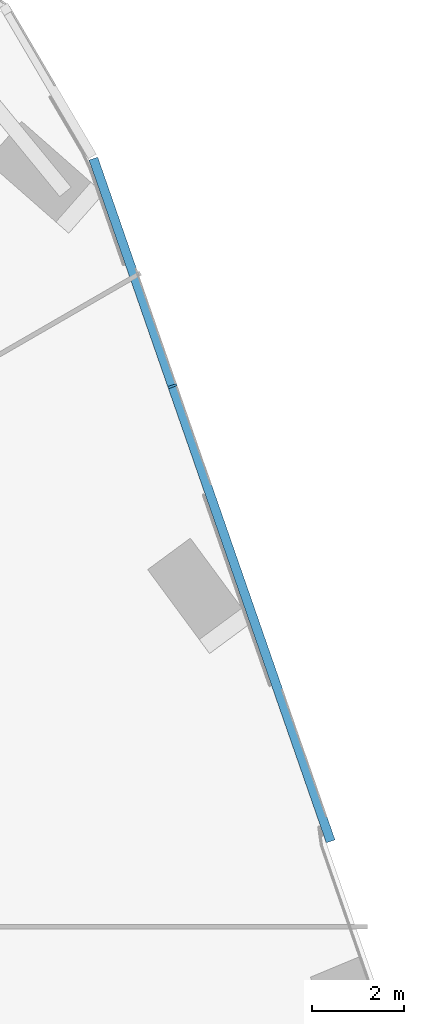
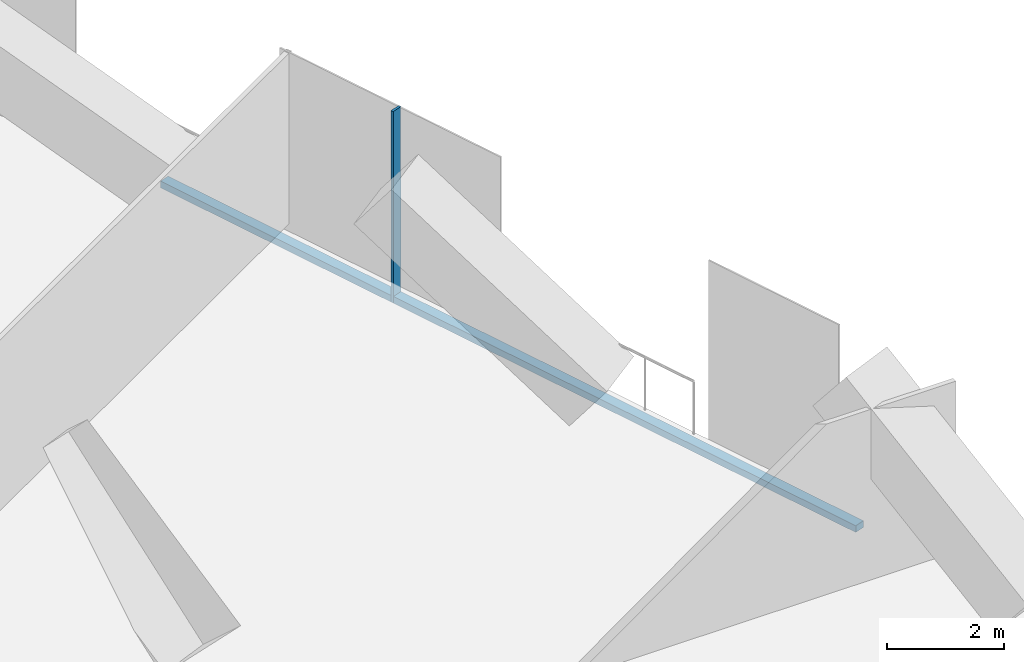
# One storey, part 8 of 26: 2 members, 1 element without a shape of its own.
"""IFC4 building model written with IfcOpenShell, lengths in metres."""

from ifc_helpers import new_model, si_unit, direction, frame, origin, origin_2d, place, context, subcontext, project, spatial, rectangle, extrude, material, material_profile, profile_set, type_object, element, aggregate, save


model = new_model("IFC4")

# Units and contexts
model_context = context("Model", 3, precision=1e-05, world=origin(), true_north=direction((0.0, 1.0)))
body_context = subcontext(model_context, "Body", "Model", "MODEL_VIEW")
ifc_project = project(units=[si_unit("LENGTHUNIT", "METRE"), si_unit("AREAUNIT", "SQUARE_METRE"), si_unit("VOLUMEUNIT", "CUBIC_METRE"), si_unit("PLANEANGLEUNIT", "RADIAN"), si_unit("MASSUNIT", "GRAM", prefix="KILO")], contexts=[model_context])

# Site, building, storey
site_placement = place(None, origin())
site = spatial("IfcSite", under=ifc_project, at=site_placement, CompositionType="ELEMENT")
building_placement = place(site_placement, origin())
building = spatial("IfcBuilding", under=site, at=building_placement, Name="Orlundy Tower", CompositionType="ELEMENT")
storey_placement = place(building_placement, frame((0.0, 0.0, 249.5)))
storey = spatial("IfcBuildingStorey", under=building, at=storey_placement, Name="L66", CompositionType="ELEMENT", Elevation=249.5)

# Curtain wall, members
ifc_material_1 = material(Name="Aluminium bronze anodised", Category="aluminium")
curtain_wall_type = type_object("IfcCurtainWallType", Name="CW5 wall", PredefinedType="NOTDEFINED", material=ifc_material_1)
curtain_wall_placement = place(storey_placement, origin())
curtain_wall = element("IfcCurtainWall", 1, at=curtain_wall_placement, inside=storey, type_object=curtain_wall_type, Name="CW5 run 023", PredefinedType="NOTDEFINED")
ifc_material_2 = material(Name="Aluminium bronze anodised", Category="aluminium")
ifc_material_profile_1 = material_profile(ifc_material_2, rectangle(XDim=0.199951171875, YDim=0.050048828125, at=origin_2d()), Name="CW5 mullion 50x200")
ifc_profile_set_1 = profile_set([ifc_material_profile_1], Name="Aluminium bronze anodised")
member_type_1 = type_object("IfcMemberType", Name="CW5 mullion 50x200", PredefinedType="MULLION", material=ifc_profile_set_1)
member_1_placement = place(storey_placement, frame((36.6259765625, 18.288818359375, -0.419921875), z_axis=(0.0, 0.0, 1.0), x_axis=(0.944577712924, 0.328287898416, 0.0)))
member_1 = element("IfcMember", 2, at=member_1_placement, type_object=member_type_1, Name="CW5 mullion 32", PredefinedType="MULLION", context=body_context, shape_type="SweptSolid", body=[
    extrude(rectangle(XDim=0.199951171875, YDim=0.050048828125, at=origin_2d()), origin(), (0.0, 0.0, 1.0), 4.0),
])
ifc_material_3 = material(Name="Aluminium bronze anodised", Category="aluminium")
ifc_material_profile_2 = material_profile(ifc_material_3, rectangle(XDim=0.199951171875, YDim=0.139892578125, at=origin_2d()), Name="CW5 transom 200x140")
ifc_profile_set_2 = profile_set([ifc_material_profile_2], Name="Aluminium bronze anodised")
member_type_2 = type_object("IfcMemberType", Name="CW5 transom 200x140", PredefinedType="USERDEFINED", material=ifc_profile_set_2)
member_2_placement = place(storey_placement, frame((34.907470703125, 23.2333984375, -0.35009765625), z_axis=(0.328286740811, -0.944578115249, 0.0), x_axis=(0.944578115249, 0.328286740811, 0.0)))
member_2 = element("IfcMember", 3, at=member_2_placement, type_object=member_type_2, Name="CW5 transom", ObjectType="TRANSOM", PredefinedType="USERDEFINED", context=body_context, shape_type="SweptSolid", body=[
    extrude(rectangle(XDim=0.199951171875, YDim=0.139892578125, at=origin_2d()), origin(), (0.0, 0.0, 1.0), 15.70947265625),
])
aggregate(curtain_wall, [member_1, member_2])

save(model, "model.ifc")
